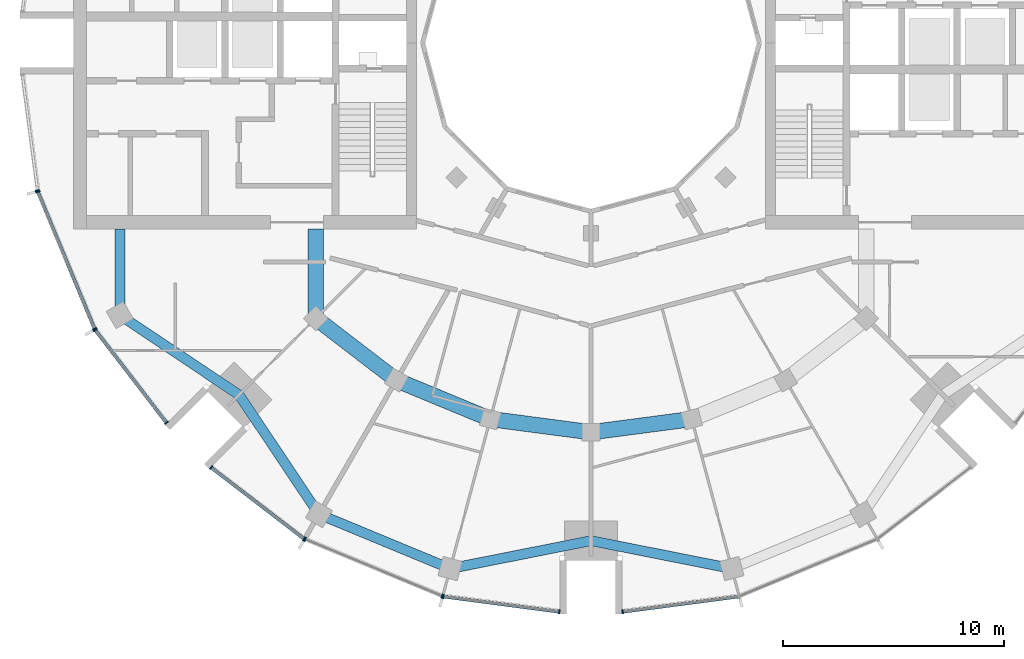
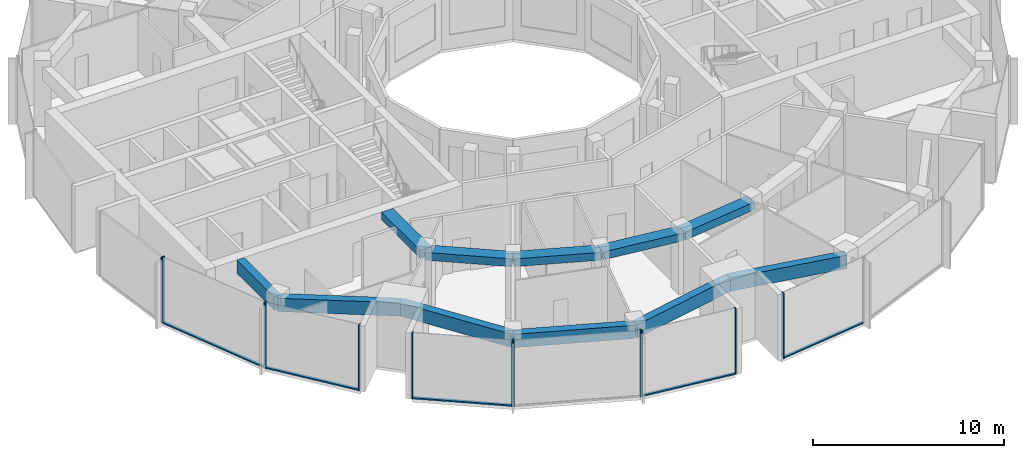
# One storey, part 2 of 15: 17 members, 11 beams, 7 elements without a shape of their own.
"""IFC4 building model written with IfcOpenShell, lengths in metres."""

from ifc_helpers import new_model, si_unit, direction, frame, origin, origin_2d, place, context, subcontext, project, spatial, rectangle, extrude, material, layer, layer_set, material_profile, profile_set, type_object, element, aggregate, save


model = new_model("IFC4")

# Units and contexts
model_context = context("Model", 3, precision=1e-05, world=origin(), true_north=direction((0.0, 1.0)))
body_context = subcontext(model_context, "Body", "Model", "MODEL_VIEW")
ifc_project = project(units=[si_unit("LENGTHUNIT", "METRE"), si_unit("AREAUNIT", "SQUARE_METRE"), si_unit("VOLUMEUNIT", "CUBIC_METRE"), si_unit("PLANEANGLEUNIT", "RADIAN"), si_unit("MASSUNIT", "GRAM", prefix="KILO")], contexts=[model_context])

# Site, building, storey
site_placement = place(None, origin())
site = spatial("IfcSite", under=ifc_project, at=site_placement, CompositionType="ELEMENT")
building_placement = place(site_placement, origin())
building = spatial("IfcBuilding", under=site, at=building_placement, Name="Torre Brocal", CompositionType="ELEMENT")
storey_placement = place(building_placement, frame((0.0, 0.0, 225.10009765625)))
storey = spatial("IfcBuildingStorey", under=building, at=storey_placement, Name="L52", CompositionType="ELEMENT", Elevation=225.10009765625)

# Curtain wall, members
ifc_material_1 = material(Name="Aluminium and glass", Category="aluminium")
ifc_layer_1 = layer(ifc_material_1, 0.199951171875)
ifc_layer_set_1 = layer_set([ifc_layer_1], Name="Aluminium and glass")
curtain_wall_type_1 = type_object("IfcCurtainWallType", Name="CW-1 CURTAIN WALL 4200 HIGH", PredefinedType="NOTDEFINED", material=ifc_layer_set_1)
curtain_wall_1_placement = place(storey_placement, origin())
curtain_wall_1 = element("IfcCurtainWall", 1, at=curtain_wall_1_placement, inside=storey, type_object=curtain_wall_type_1, Name="CW-1 RUN 14", PredefinedType="NOTDEFINED")
ifc_material_2 = material(Name="Aluminium, dark anodised", Category="aluminium")
ifc_material_profile_1 = material_profile(ifc_material_2, rectangle(XDim=0.199951171875, YDim=0.06005859375, at=origin_2d()), Name="CW-1 MULLION 60X200")
ifc_profile_set_1 = profile_set([ifc_material_profile_1], Name="Aluminium, dark anodised")
member_type_1 = type_object("IfcMemberType", Name="CW-1 MULLION 60X200", PredefinedType="MULLION", material=ifc_profile_set_1)
member_1_placement = place(storey_placement, frame((54.994873046875, 68.26904296875, 0.0), z_axis=(0.0, 0.0, 1.0), x_axis=(0.923879532525, 0.382683432333, 0.0)))
member_1 = element("IfcMember", 2, at=member_1_placement, type_object=member_type_1, Name="CW1-5 mullion 1", PredefinedType="MULLION", context=body_context, shape_type="SweptSolid", body=[
    extrude(rectangle(XDim=0.199951171875, YDim=0.06005859375, at=origin_2d()), origin(), (0.0, 0.0, 1.0), 4.199951171875),
])
member_2_placement = place(storey_placement, frame((57.559326171875, 62.078125, 0.0), z_axis=(0.0, 0.0, 1.0), x_axis=(0.923879532525, 0.382683432333, 0.0)))
member_2 = element("IfcMember", 3, at=member_2_placement, type_object=member_type_1, Name="CW1-5 mullion 2", PredefinedType="MULLION", context=body_context, shape_type="SweptSolid", body=[
    extrude(rectangle(XDim=0.199951171875, YDim=0.06005859375, at=origin_2d()), origin(), (0.0, 0.0, 1.0), 4.199951171875),
])

curtain_wall_2_placement = place(storey_placement, origin())
curtain_wall_2 = element("IfcCurtainWall", 4, at=curtain_wall_2_placement, inside=storey, type_object=curtain_wall_type_1, Name="CW-1 RUN 15", PredefinedType="NOTDEFINED")
member_3_placement = place(storey_placement, frame((57.5888671875, 62.026611328125, 0.0), z_axis=(0.0, 0.0, 1.0), x_axis=(0.793353340259, 0.60876142905, 0.0)))
member_3 = element("IfcMember", 5, at=member_3_placement, type_object=member_type_1, Name="CW1-5 mullion 1", PredefinedType="MULLION", context=body_context, shape_type="SweptSolid", body=[
    extrude(rectangle(XDim=0.199951171875, YDim=0.06005859375, at=origin_2d()), origin(), (0.0, 0.0, 1.0), 4.199951171875),
])
member_4_placement = place(storey_placement, frame((60.80859375, 57.83056640625, 0.0), z_axis=(0.0, 0.0, 1.0), x_axis=(0.793353340259, 0.60876142905, 0.0)))
member_4 = element("IfcMember", 6, at=member_4_placement, type_object=member_type_1, Name="CW1-5 mullion 2", PredefinedType="MULLION", context=body_context, shape_type="SweptSolid", body=[
    extrude(rectangle(XDim=0.199951171875, YDim=0.06005859375, at=origin_2d()), origin(), (0.0, 0.0, 1.0), 4.199951171875),
])

curtain_wall_3_placement = place(storey_placement, origin())
curtain_wall_3 = element("IfcCurtainWall", 7, at=curtain_wall_3_placement, inside=storey, type_object=curtain_wall_type_1, Name="CW-1 RUN 16", PredefinedType="NOTDEFINED")
member_5_placement = place(storey_placement, frame((62.83056640625, 55.80859375, 0.0), z_axis=(0.0, 0.0, 1.0), x_axis=(0.60876142905, 0.793353340259, 0.0)))
member_5 = element("IfcMember", 8, at=member_5_placement, type_object=member_type_1, Name="CW1-5 mullion 1", PredefinedType="MULLION", context=body_context, shape_type="SweptSolid", body=[
    extrude(rectangle(XDim=0.199951171875, YDim=0.06005859375, at=origin_2d()), origin(), (0.0, 0.0, 1.0), 4.199951171875),
])
member_6_placement = place(storey_placement, frame((67.026611328125, 52.5888671875, 0.0), z_axis=(0.0, 0.0, 1.0), x_axis=(0.60876142905, 0.793353340259, 0.0)))
member_6 = element("IfcMember", 9, at=member_6_placement, type_object=member_type_1, Name="CW1-5 mullion 2", PredefinedType="MULLION", context=body_context, shape_type="SweptSolid", body=[
    extrude(rectangle(XDim=0.199951171875, YDim=0.06005859375, at=origin_2d()), origin(), (0.0, 0.0, 1.0), 4.199951171875),
])

curtain_wall_4_placement = place(storey_placement, origin())
curtain_wall_4 = element("IfcCurtainWall", 10, at=curtain_wall_4_placement, inside=storey, type_object=curtain_wall_type_1, Name="CW-1 RUN 17", PredefinedType="NOTDEFINED")
member_7_placement = place(storey_placement, frame((67.078125, 52.559326171875, 0.0), z_axis=(0.0, 0.0, 1.0), x_axis=(0.382683432333, 0.923879532525, 0.0)))
member_7 = element("IfcMember", 11, at=member_7_placement, type_object=member_type_1, Name="CW1-5 mullion 1", PredefinedType="MULLION", context=body_context, shape_type="SweptSolid", body=[
    extrude(rectangle(XDim=0.199951171875, YDim=0.06005859375, at=origin_2d()), origin(), (0.0, 0.0, 1.0), 4.199951171875),
])
member_8_placement = place(storey_placement, frame((73.26904296875, 49.994873046875, 0.0), z_axis=(0.0, 0.0, 1.0), x_axis=(0.382683432333, 0.923879532525, 0.0)))
member_8 = element("IfcMember", 12, at=member_8_placement, type_object=member_type_1, Name="CW1-5 mullion 2", PredefinedType="MULLION", context=body_context, shape_type="SweptSolid", body=[
    extrude(rectangle(XDim=0.199951171875, YDim=0.06005859375, at=origin_2d()), origin(), (0.0, 0.0, 1.0), 4.199951171875),
])
aggregate(curtain_wall_4, [member_7, member_8])

curtain_wall_5_placement = place(storey_placement, origin())
curtain_wall_5 = element("IfcCurtainWall", 13, at=curtain_wall_5_placement, inside=storey, type_object=curtain_wall_type_1, Name="CW-1 RUN 18", PredefinedType="NOTDEFINED")
member_9_placement = place(storey_placement, frame((73.32666015625, 49.9794921875, 0.0), z_axis=(0.0, 0.0, 1.0), x_axis=(0.13052619222, 0.991444861374, 0.0)))
member_9 = element("IfcMember", 14, at=member_9_placement, type_object=member_type_1, Name="CW1-5 mullion 1", PredefinedType="MULLION", context=body_context, shape_type="SweptSolid", body=[
    extrude(rectangle(XDim=0.199951171875, YDim=0.06005859375, at=origin_2d()), origin(), (0.0, 0.0, 1.0), 4.199951171875),
])
member_10_placement = place(storey_placement, frame((78.5703125, 49.2890625, 0.0), z_axis=(0.0, 0.0, 1.0), x_axis=(0.13052619222, 0.991444861374, 0.0)))
member_10 = element("IfcMember", 15, at=member_10_placement, type_object=member_type_1, Name="CW1-5 mullion 2", PredefinedType="MULLION", context=body_context, shape_type="SweptSolid", body=[
    extrude(rectangle(XDim=0.199951171875, YDim=0.06005859375, at=origin_2d()), origin(), (0.0, 0.0, 1.0), 4.199951171875),
])

# Curtain wall, member
curtain_wall_6_placement = place(storey_placement, origin())
curtain_wall_6 = element("IfcCurtainWall", 16, at=curtain_wall_6_placement, inside=storey, type_object=curtain_wall_type_1, Name="CW-1 RUN 19", PredefinedType="NOTDEFINED")
member_11_placement = place(storey_placement, frame((81.4296875, 49.2890625, 0.0), z_axis=(0.0, 0.0, 1.0), x_axis=(-0.13052619222, 0.991444861374, 0.0)))
member_11 = element("IfcMember", 17, at=member_11_placement, type_object=member_type_1, Name="CW1-5 mullion 1", PredefinedType="MULLION", context=body_context, shape_type="SweptSolid", body=[
    extrude(rectangle(XDim=0.199951171875, YDim=0.06005859375, at=origin_2d()), origin(), (0.0, 0.0, 1.0), 4.199951171875),
])

# Member
ifc_material_3 = material(Name="Aluminium, dark anodised", Category="aluminium")
ifc_material_profile_2 = material_profile(ifc_material_3, rectangle(XDim=0.159912109375, YDim=0.080078125, at=origin_2d()), Name="CW-1 TRANSOM 160X80")
ifc_profile_set_2 = profile_set([ifc_material_profile_2], Name="Aluminium, dark anodised")
member_type_2 = type_object("IfcMemberType", Name="CW-1 TRANSOM 160X80", PredefinedType="USERDEFINED", material=ifc_profile_set_2)
member_12_placement = place(storey_placement, frame((55.00634765625, 68.241455078125, 0.039794921875), z_axis=(0.38266457234, -0.923887344364, 0.0), x_axis=(0.923887344364, 0.38266457234, 0.0)))
member_12 = element("IfcMember", 18, at=member_12_placement, type_object=member_type_2, Name="CW1-5 transom 1.1", ObjectType="TRANSOM", PredefinedType="USERDEFINED", context=body_context, shape_type="SweptSolid", body=[
    extrude(rectangle(XDim=0.159912109375, YDim=0.080078125, at=origin_2d()), origin(), (0.0, 0.0, 1.0), 6.640869140625),
])

aggregate(curtain_wall_1, [member_1, member_2, member_12])

member_13_placement = place(storey_placement, frame((57.607177734375, 62.0029296875, 0.039794921875), z_axis=(0.60874908096, -0.79336281513, 0.0), x_axis=(0.79336281513, 0.60874908096, 0.0)))
member_13 = element("IfcMember", 19, at=member_13_placement, type_object=member_type_2, Name="CW1-5 transom 1.1", ObjectType="TRANSOM", PredefinedType="USERDEFINED", context=body_context, shape_type="SweptSolid", body=[
    extrude(rectangle(XDim=0.159912109375, YDim=0.080078125, at=origin_2d()), origin(), (0.0, 0.0, 1.0), 5.22900390625),
])

aggregate(curtain_wall_2, [member_3, member_4, member_13])

member_14_placement = place(storey_placement, frame((62.8544921875, 55.790283203125, 0.039794921875), z_axis=(0.79336281513, -0.60874908096, 0.0), x_axis=(0.60874908096, 0.79336281513, 0.0)))
member_14 = element("IfcMember", 20, at=member_14_placement, type_object=member_type_2, Name="CW1-5 transom 1.1", ObjectType="TRANSOM", PredefinedType="USERDEFINED", context=body_context, shape_type="SweptSolid", body=[
    extrude(rectangle(XDim=0.159912109375, YDim=0.080078125, at=origin_2d()), origin(), (0.0, 0.0, 1.0), 5.22900390625),
])

aggregate(curtain_wall_3, [member_5, member_6, member_14])

member_15_placement = place(storey_placement, frame((73.356201171875, 49.9755859375, 0.039794921875), z_axis=(0.991442690863, -0.130542677827, 0.0), x_axis=(0.130542677827, 0.991442690863, 0.0)))
member_15 = element("IfcMember", 21, at=member_15_placement, type_object=member_type_2, Name="CW1-5 transom 1.1", ObjectType="TRANSOM", PredefinedType="USERDEFINED", context=body_context, shape_type="SweptSolid", body=[
    extrude(rectangle(XDim=0.159912109375, YDim=0.080078125, at=origin_2d()), origin(), (0.0, 0.0, 1.0), 5.22900390625),
])

aggregate(curtain_wall_5, [member_9, member_10, member_15])

member_16_placement = place(storey_placement, frame((81.45947265625, 49.29296875, 0.039794921875), z_axis=(0.991442690863, 0.130542677827, 0.0), x_axis=(-0.130542677827, 0.991442690863, 0.0)))
member_16 = element("IfcMember", 22, at=member_16_placement, type_object=member_type_2, Name="CW1-5 transom 1.1", ObjectType="TRANSOM", PredefinedType="USERDEFINED", context=body_context, shape_type="SweptSolid", body=[
    extrude(rectangle(XDim=0.159912109375, YDim=0.080078125, at=origin_2d()), origin(), (0.0, 0.0, 1.0), 5.22900390625),
])

aggregate(curtain_wall_6, [member_11, member_16])

# Curtain wall, member
ifc_material_4 = material(Name="Aluminium and glass", Category="aluminium")
ifc_layer_2 = layer(ifc_material_4, 0.199951171875)
ifc_layer_set_2 = layer_set([ifc_layer_2], Name="Aluminium and glass")
curtain_wall_type_2 = type_object("IfcCurtainWallType", Name="CW-1B CURTAIN WALL 4200 HIGH", PredefinedType="NOTDEFINED", material=ifc_layer_set_2)
curtain_wall_7_placement = place(storey_placement, origin())
curtain_wall_7 = element("IfcCurtainWall", 23, at=curtain_wall_7_placement, inside=storey, type_object=curtain_wall_type_2, Name="CW-1B RUN 13", PredefinedType="NOTDEFINED")
ifc_material_5 = material(Name="Aluminium, dark anodised", Category="aluminium")
ifc_material_profile_3 = material_profile(ifc_material_5, rectangle(XDim=0.199951171875, YDim=0.06005859375, at=origin_2d()), Name="CW-1B MULLION 60X200")
ifc_profile_set_3 = profile_set([ifc_material_profile_3], Name="Aluminium, dark anodised")
member_type_3 = type_object("IfcMemberType", Name="CW-1B MULLION 60X200", PredefinedType="MULLION", material=ifc_profile_set_3)
member_17_placement = place(storey_placement, frame((54.9794921875, 68.32666015625, 0.0), z_axis=(0.0, 0.0, 1.0), x_axis=(0.991444861374, 0.13052619222, 0.0)))
member_17 = element("IfcMember", 24, at=member_17_placement, type_object=member_type_3, Name="CW1B-5 mullion 2", PredefinedType="MULLION", context=body_context, shape_type="SweptSolid", body=[
    extrude(rectangle(XDim=0.199951171875, YDim=0.06005859375, at=origin_2d()), origin(), (0.0, 0.0, 1.0), 4.199951171875),
])
aggregate(curtain_wall_7, [member_17])

# Beams
ifc_material_6 = material(Name="Concrete C50", Category="concrete")
ifc_material_profile_4 = material_profile(ifc_material_6, rectangle(XDim=0.699951171875, YDim=0.5, at=origin_2d()), Name="RC 700X500")
ifc_profile_set_4 = profile_set([ifc_material_profile_4], Name="Concrete C50")
beam_type_1 = type_object("IfcBeamType", Name="RC BEAM 700X500 C50 TOP 3800", PredefinedType="BEAM", material=ifc_profile_set_4)
beam_1_placement = place(storey_placement, frame((67.554931640625, 62.554931640625, 3.5498046875), z_axis=(0.0, 1.0, 0.0), x_axis=(-1.0, 0.0, 0.0)))
element("IfcBeam", 25, at=beam_1_placement, inside=storey, type_object=beam_type_1, Name="Beam BT-39", PredefinedType="BEAM", context=body_context, shape_type="SweptSolid", body=[
    extrude(rectangle(XDim=0.699951171875, YDim=0.5, at=origin_2d()), origin(), (0.0, 0.0, 1.0), 4.045166015625),
])
beam_2_placement = place(storey_placement, frame((67.554931640625, 62.554931640625, 3.5498046875), z_axis=(0.793358265959, -0.6087550097, 0.0), x_axis=(0.6087550097, 0.793358265959, 0.0)))
element("IfcBeam", 26, at=beam_2_placement, inside=storey, type_object=beam_type_1, Name="Beam BT-39", PredefinedType="BEAM", context=body_context, shape_type="SweptSolid", body=[
    extrude(rectangle(XDim=0.699951171875, YDim=0.5, at=origin_2d()), origin(), (0.0, 0.0, 1.0), 4.594482421875),
])
beam_3_placement = place(storey_placement, frame((71.199951171875, 59.758056640625, 3.5498046875), z_axis=(0.923878240166, -0.382686552348, 0.0), x_axis=(0.382686552348, 0.923878240166, 0.0)))
element("IfcBeam", 27, at=beam_3_placement, inside=storey, type_object=beam_type_1, Name="Beam BT-39", PredefinedType="BEAM", context=body_context, shape_type="SweptSolid", body=[
    extrude(rectangle(XDim=0.699951171875, YDim=0.5, at=origin_2d()), origin(), (0.0, 0.0, 1.0), 4.5947265625),
])
for number, where, z_axis, x_axis, name in (
    (28, (75.44482421875, 57.999755859375, 3.5498046875), (0.991440544449, -0.130558978332, 0.0), (0.130558978332, 0.991440544449, 0.0), "Beam BT-39"),
    (29, (80.0, 57.39990234375, 3.5498046875), (0.991440544449, 0.130558978332, 0.0), (-0.130558978332, 0.991440544449, 0.0), "Beam BT-39"),
):
    element("IfcBeam", number, at=place(storey_placement, frame(where, z_axis=z_axis, x_axis=x_axis)), inside=storey, type_object=beam_type_1, Name=name, PredefinedType="BEAM", context=body_context, shape_type="SweptSolid", body=[
        extrude(rectangle(XDim=0.699951171875, YDim=0.5, at=origin_2d()), origin(), (0.0, 0.0, 1.0), 4.594482421875),
    ])
ifc_material_7 = material(Name="Concrete C50", Category="concrete")
ifc_material_profile_5 = material_profile(ifc_material_7, rectangle(XDim=0.449951171875, YDim=0.85009765625, at=origin_2d()), Name="RC 450X850")
ifc_profile_set_5 = profile_set([ifc_material_profile_5], Name="Concrete C50")
beam_type_2 = type_object("IfcBeamType", Name="RC SPANDREL BEAM 450X850 C50 TOP 3800", PredefinedType="SPANDREL", material=ifc_profile_set_5)
beam_4_placement = place(storey_placement, frame((58.69580078125, 62.699951171875, 3.375), z_axis=(0.0, 1.0, 0.0), x_axis=(-1.0, 0.0, 0.0)))
element("IfcBeam", 30, at=beam_4_placement, inside=storey, type_object=beam_type_2, Name="Beam BT-40", PredefinedType="SPANDREL", context=body_context, shape_type="SweptSolid", body=[
    extrude(rectangle(XDim=0.449951171875, YDim=0.85009765625, at=origin_2d()), origin(), (0.0, 0.0, 1.0), 3.900146484375),
])
for number, where, z_axis, x_axis, name in (
    (31, (58.69580078125, 62.699951171875, 3.375), (0.831076844476, -0.556157602282, 0.0), (0.556157602282, 0.831076844476, 0.0), "Beam BT-40"),
    (32, (64.090087890625, 59.090087890625, 3.375), (0.556157602282, -0.831076844476, 0.0), (0.831076844476, 0.556157602282, 0.0), "Beam BT-40"),
):
    element("IfcBeam", number, at=place(storey_placement, frame(where, z_axis=z_axis, x_axis=x_axis)), inside=storey, type_object=beam_type_2, Name=name, PredefinedType="SPANDREL", context=body_context, shape_type="SweptSolid", body=[
        extrude(rectangle(XDim=0.449951171875, YDim=0.85009765625, at=origin_2d()), origin(), (0.0, 0.0, 1.0), 6.49072265625),
    ])
beam_5_placement = place(storey_placement, frame((67.699951171875, 53.69580078125, 3.375), z_axis=(0.923882462513, -0.382676358639, 0.0), x_axis=(0.382676358639, 0.923882462513, 0.0)))
element("IfcBeam", 33, at=beam_5_placement, inside=storey, type_object=beam_type_2, Name="Beam BT-40", PredefinedType="SPANDREL", context=body_context, shape_type="SweptSolid", body=[
    extrude(rectangle(XDim=0.449951171875, YDim=0.85009765625, at=origin_2d()), origin(), (0.0, 0.0, 1.0), 6.421875),
])
for number, where, z_axis, x_axis, name in (
    (34, (73.633056640625, 51.23828125, 3.375), (0.980924907484, 0.194387051723, 0.0), (-0.194387051723, 0.980924907484, 0.0), "Beam BT-40"),
    (35, (80.0, 52.5, 3.375), (0.980924907484, -0.194387051723, 0.0), (0.194387051723, 0.980924907484, 0.0), "Beam BT-40"),
):
    element("IfcBeam", number, at=place(storey_placement, frame(where, z_axis=z_axis, x_axis=x_axis)), inside=storey, type_object=beam_type_2, Name=name, PredefinedType="SPANDREL", context=body_context, shape_type="SweptSolid", body=[
        extrude(rectangle(XDim=0.449951171875, YDim=0.85009765625, at=origin_2d()), origin(), (0.0, 0.0, 1.0), 6.49072265625),
    ])

save(model, "model.ifc")
